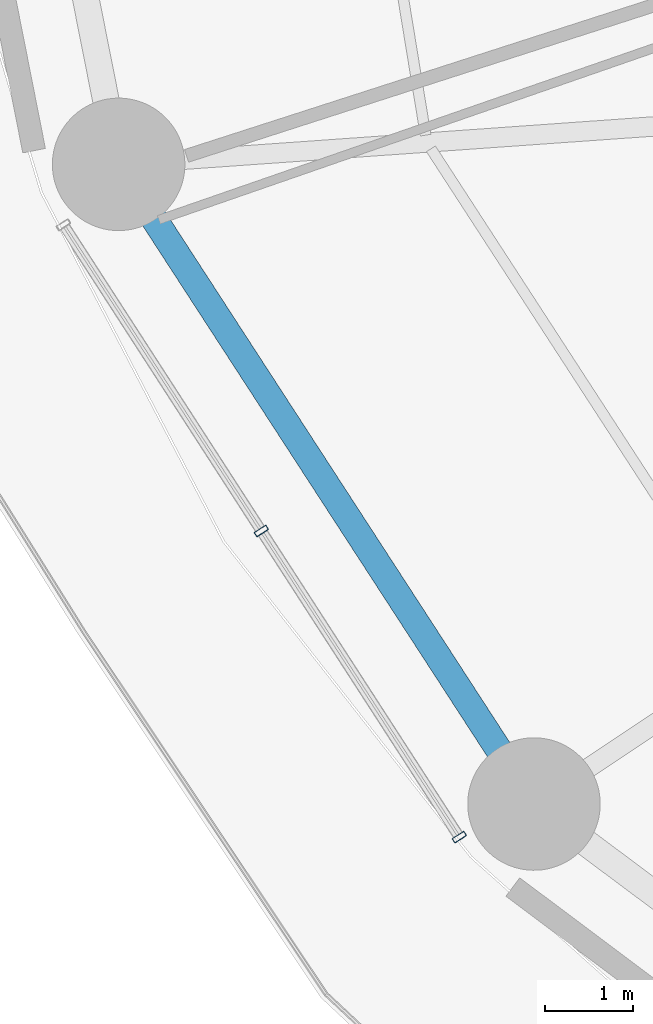
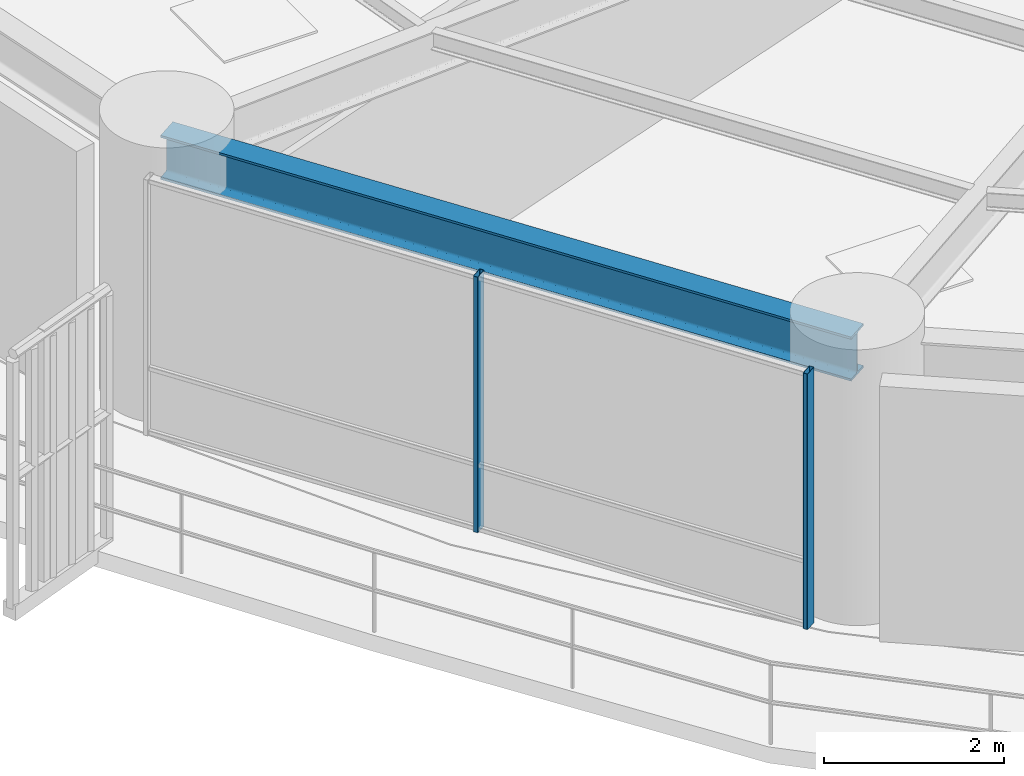
# One storey, part 2 of 32: 2 members, 1 beam, 1 element without a shape of its own.
"""IFC4 building model written with IfcOpenShell, lengths in metres."""

from ifc_helpers import new_model, si_unit, direction, frame, origin, origin_2d, place, context, subcontext, project, spatial, hollow_rectangle, i_section, extrude, material, layer, layer_set, material_profile, profile_set, type_object, element, aggregate, save


model = new_model("IFC4")

# Units and contexts
model_context = context("Model", 3, precision=1e-05, world=origin(), true_north=direction((0.0, 1.0)))
body_context = subcontext(model_context, "Body", "Model", "MODEL_VIEW")
ifc_project = project(units=[si_unit("LENGTHUNIT", "METRE"), si_unit("AREAUNIT", "SQUARE_METRE"), si_unit("VOLUMEUNIT", "CUBIC_METRE"), si_unit("PLANEANGLEUNIT", "RADIAN"), si_unit("MASSUNIT", "GRAM", prefix="KILO")], contexts=[model_context])

# Site, building, storey
site_placement = place(None, origin())
site = spatial("IfcSite", under=ifc_project, at=site_placement, CompositionType="ELEMENT")
building_placement = place(site_placement, origin())
building = spatial("IfcBuilding", under=site, at=building_placement, Name="Kelanora Arch Commons", CompositionType="ELEMENT")
storey_placement = place(building_placement, frame((0.0, 0.0, 60.0)))
storey = spatial("IfcBuildingStorey", under=building, at=storey_placement, Name="L15", CompositionType="ELEMENT", Elevation=60.0)

# Beam
ifc_material_1 = material(Name="Steel S355", Category="steel")
ifc_material_profile_1 = material_profile(ifc_material_1, i_section(OverallWidth=0.300048828125, OverallDepth=0.60009765625, WebThickness=0.015380859375, FlangeThickness=0.030029296875, FilletRadius=0.027099609375, at=origin_2d()), Name="HEB600")
ifc_profile_set_1 = profile_set([ifc_material_profile_1], Name="Steel S355")
beam_type = type_object("IfcBeamType", Name="BM-SPN-Z1", PredefinedType="SPANDREL", material=ifc_profile_set_1)
beam_placement = place(storey_placement, frame((48.552978515625, 49.76416015625, 3.18994140625), z_axis=(0.544585813928, -0.838705127722, 0.0), x_axis=(0.838705127722, 0.544585813928, 0.0)))
element("IfcBeam", 1, at=beam_placement, inside=storey, type_object=beam_type, Name="Perimeter Spandrel Beam BS-20 L15", PredefinedType="SPANDREL", context=body_context, shape_type="SweptSolid", body=[
    extrude(i_section(OverallWidth=0.300048828125, OverallDepth=0.60009765625, WebThickness=0.015380859375, FlangeThickness=0.030029296875, FilletRadius=0.027099609375, at=origin_2d()), origin(), (0.0, 0.0, 1.0), 8.63525390625),
])

# Curtain wall, members
ifc_material_2 = material(Name="Terracotta ceramic-fritted low-E glass and aluminium", Category="masonry")
ifc_layer = layer(ifc_material_2, 0.159912109375)
ifc_layer_set = layer_set([ifc_layer], Name="Terracotta ceramic-fritted low-E glass and aluminium")
curtain_wall_type = type_object("IfcCurtainWallType", Name="CW-SYS-01", PredefinedType="NOTDEFINED", material=ifc_layer_set)
curtain_wall_placement = place(storey_placement, origin())
curtain_wall = element("IfcCurtainWall", 2, at=curtain_wall_placement, inside=storey, type_object=curtain_wall_type, Name="Unitised Curtain Wall L15-B10", PredefinedType="NOTDEFINED")
ifc_material_3 = material(Name="Powder-coated aluminium terracotta", Category="masonry")
ifc_material_profile_2 = material_profile(ifc_material_3, hollow_rectangle(XDim=0.159912109375, YDim=0.06005859375, WallThickness=0.0048828125, InnerFilletRadius=0.0048828125, OuterFilletRadius=0.010009765625, at=origin_2d()), Name="CWM160x60")
ifc_profile_set_2 = profile_set([ifc_material_profile_2], Name="Powder-coated aluminium terracotta")
member_type = type_object("IfcMemberType", Name="CWM-STD", PredefinedType="MULLION", material=ifc_profile_set_2)
member_1_placement = place(storey_placement, frame((50.169189453125, 45.61328125, 0.0), z_axis=(0.0, 0.0, 1.0), x_axis=(0.83972982332, 0.543004441812, 0.0)))
member_1 = element("IfcMember", 3, at=member_1_placement, type_object=member_type, Name="CW-01 mullion 2", PredefinedType="MULLION", context=body_context, shape_type="SweptSolid", body=[
    extrude(hollow_rectangle(XDim=0.159912109375, YDim=0.06005859375, WallThickness=0.0048828125, InnerFilletRadius=0.0048828125, OuterFilletRadius=0.010009765625, at=origin_2d()), origin(), (0.0, 0.0, 1.0), 3.47509765625),
])
member_2_placement = place(storey_placement, frame((52.41064453125, 42.14697265625, 0.0), z_axis=(0.0, 0.0, 1.0), x_axis=(0.83972982332, 0.543004441812, 0.0)))
member_2 = element("IfcMember", 4, at=member_2_placement, type_object=member_type, Name="CW-01 mullion 3", PredefinedType="MULLION", context=body_context, shape_type="SweptSolid", body=[
    extrude(hollow_rectangle(XDim=0.159912109375, YDim=0.06005859375, WallThickness=0.0048828125, InnerFilletRadius=0.0048828125, OuterFilletRadius=0.010009765625, at=origin_2d()), origin(), (0.0, 0.0, 1.0), 3.47509765625),
])
aggregate(curtain_wall, [member_1, member_2])

save(model, "model.ifc")
